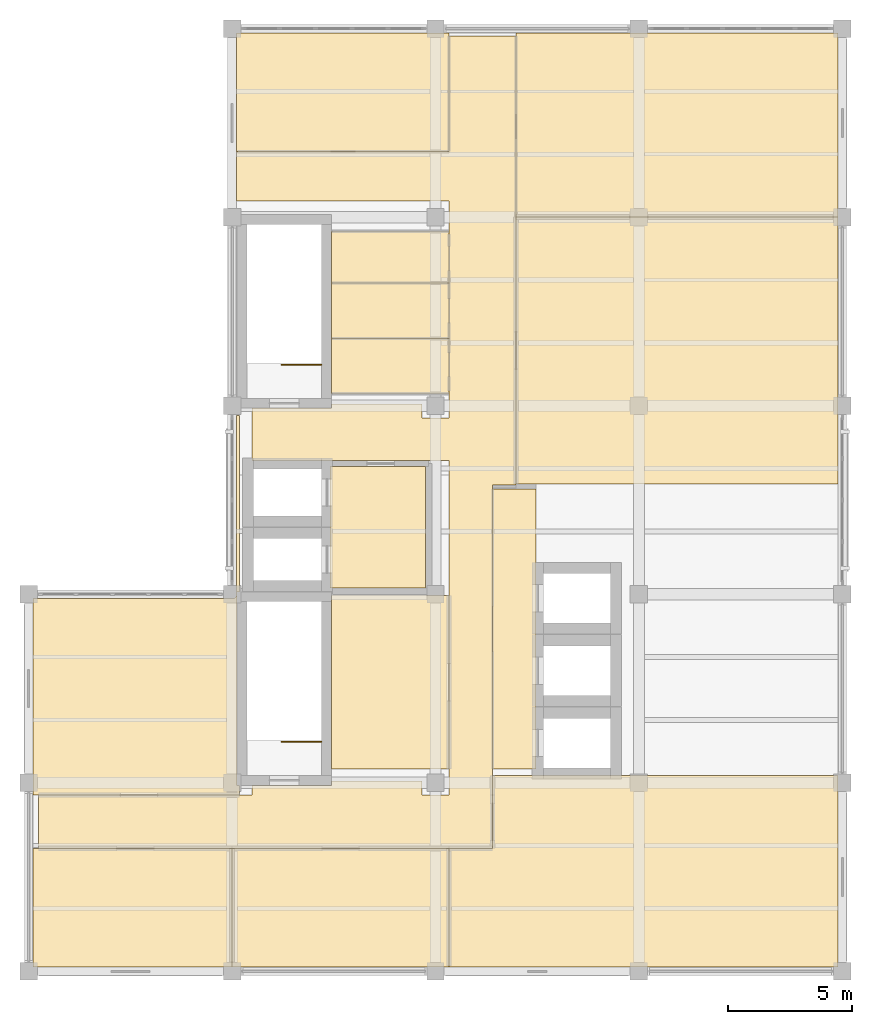
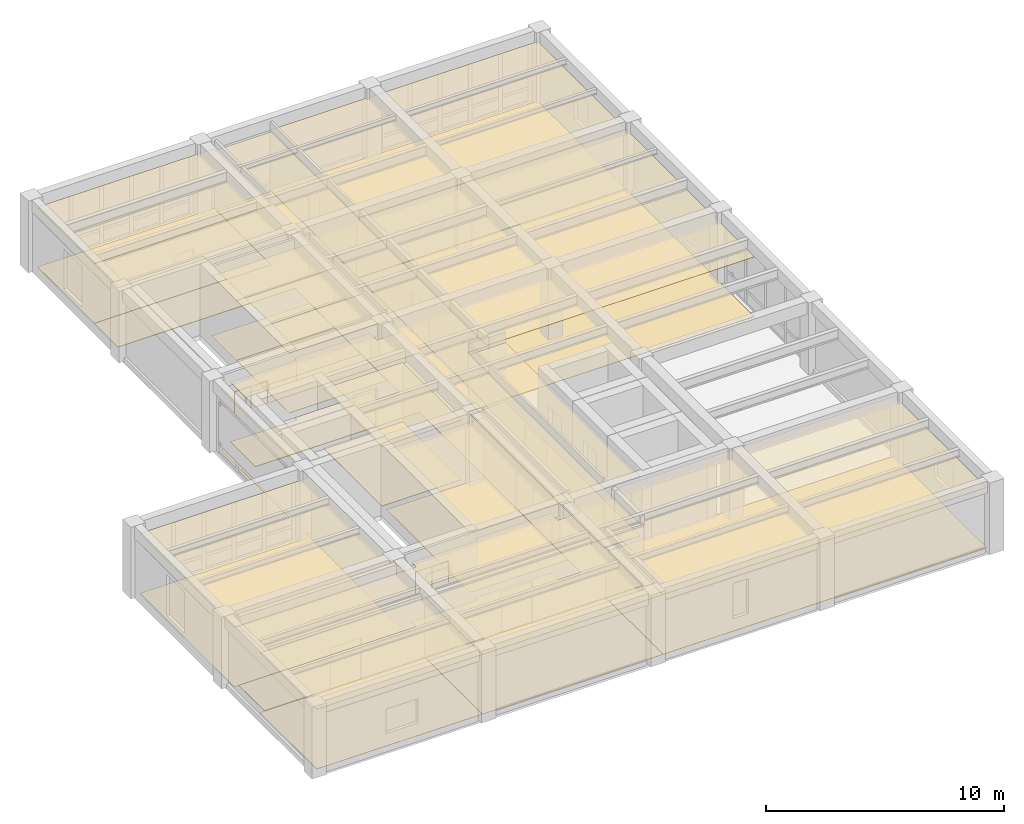
# One storey, part 8 of 8: 28 coverings, 2 railings.
"""IFC4 building model written with IfcOpenShell, lengths in metres."""

from ifc_helpers import new_model, si_unit, direction, frame, origin, origin_2d, place, context, subcontext, project, spatial, polyline, circle, outline, extrude, material, layer, layer_set, type_object, element, save


model = new_model("IFC4")

# Units and contexts
model_context = context("Model", 3, precision=1e-05, world=origin(), true_north=direction((0.0, 1.0)))
body_context = subcontext(model_context, "Body", "Model", "MODEL_VIEW")
ifc_project = project(units=[si_unit("LENGTHUNIT", "METRE"), si_unit("AREAUNIT", "SQUARE_METRE"), si_unit("VOLUMEUNIT", "CUBIC_METRE"), si_unit("PLANEANGLEUNIT", "RADIAN"), si_unit("MASSUNIT", "GRAM", prefix="KILO")], contexts=[model_context])

# Site, building, storey
site_placement = place(None, origin())
site = spatial("IfcSite", under=ifc_project, at=site_placement, CompositionType="ELEMENT")
building_placement = place(site_placement, origin())
building = spatial("IfcBuilding", under=site, at=building_placement, Name="Qandaris Square Conservatory and Botanical Centre", CompositionType="ELEMENT")
storey_placement = place(building_placement, frame((0.0, 0.0, 70.199951171875)))
storey = spatial("IfcBuildingStorey", under=building, at=storey_placement, Name="L16", CompositionType="ELEMENT", Elevation=70.199951171875)

# Coverings
ifc_material_1 = material(Name="Honed Qatari Limestone", Category="masonry")
ifc_layer_1 = layer(ifc_material_1, 0.030029296875)
ifc_layer_set_1 = layer_set([ifc_layer_1], Name="Honed Qatari Limestone")
covering_type_1 = type_object("IfcCoveringType", Name="Honed Qatari Limestone Concourse Paving", PredefinedType="FLOORING", material=ifc_layer_set_1)
covering_1_placement = place(storey_placement, origin())
element("IfcCovering", 1, at=covering_1_placement, inside=storey, type_object=covering_type_1, Name="Firefighting Lift Lobby L16 Flooring", PredefinedType="FLOORING", context=body_context, shape_type="SweptSolid", body=[
    extrude(outline(polyline([(143.14990234375, 36.949951171875), (147.0, 36.949951171875), (147.0, 32.050048828125), (143.14990234375, 32.050048828125), (143.14990234375, 36.949951171875)])), origin(), (0.0, 0.0, 1.0), 0.030029296875),
])
covering_2_placement = place(storey_placement, origin())
element("IfcCovering", 2, at=covering_2_placement, inside=storey, type_object=covering_type_1, Name="Passenger Lift Lobby L16 Flooring", PredefinedType="FLOORING", context=body_context, shape_type="SweptSolid", body=[
    extrude(outline(polyline([(149.699951171875, 36.050048828125), (151.449951171875, 36.050048828125), (151.449951171875, 24.75), (149.699951171875, 24.75), (149.699951171875, 36.050048828125)])), origin(), (0.0, 0.0, 1.0), 0.030029296875),
])
covering_3_placement = place(storey_placement, origin())
element("IfcCovering", 3, at=covering_3_placement, inside=storey, type_object=covering_type_1, Name="Main Circulation Corridor L16 Flooring", PredefinedType="FLOORING", context=body_context, shape_type="SweptSolid", body=[
    extrude(outline(polyline([(140.0, 24.10009765625), (143.199951171875, 24.10009765625), (143.199951171875, 24.280029296875), (146.85009765625, 24.280029296875), (146.85009765625, 23.699951171875), (147.949951171875, 23.699951171875), (147.949951171875, 24.75), (147.949951171875, 31.75), (147.949951171875, 36.199951171875), (147.949951171875, 37.199951171875), (140.0, 37.199951171875), (140.0, 38.89990234375), (140.0, 39.300048828125), (143.199951171875, 39.300048828125), (143.199951171875, 39.47998046875), (146.85009765625, 39.47998046875), (146.85009765625, 38.89990234375), (147.949951171875, 38.89990234375), (147.949951171875, 39.89990234375), (147.949951171875, 42.1201171875), (147.949951171875, 44.340087890625), (147.949951171875, 46.419921875), (147.949951171875, 47.64990234375), (139.3798828125, 47.64990234375), (139.3798828125, 49.64990234375), (147.949951171875, 49.64990234375), (147.949951171875, 54.300048828125), (150.64990234375, 54.300048828125), (150.64990234375, 36.199951171875), (149.699951171875, 36.199951171875), (149.699951171875, 36.050048828125), (149.699951171875, 24.75), (149.699951171875, 23.699951171875), (149.699951171875, 21.550048828125), (147.949951171875, 21.550048828125), (131.39990234375, 21.550048828125), (131.39990234375, 23.699951171875), (140.0, 23.699951171875), (140.0, 24.10009765625)])), origin(), (0.0, 0.0, 1.0), 0.030029296875),
])
covering_4_placement = place(storey_placement, origin())
element("IfcCovering", 4, at=covering_4_placement, inside=storey, type_object=covering_type_1, Name="Building Management Collaborative Seminar Room Flooring", PredefinedType="FLOORING", context=body_context, shape_type="SweptSolid", body=[
    extrude(outline(polyline([(139.3798828125, 54.419921875), (147.949951171875, 54.419921875), (147.949951171875, 54.300048828125), (147.949951171875, 49.64990234375), (139.3798828125, 49.64990234375), (139.3798828125, 54.419921875)])), origin(), (0.0, 0.0, 1.0), 0.030029296875),
])
covering_5_placement = place(storey_placement, origin())
element("IfcCovering", 5, at=covering_5_placement, inside=storey, type_object=covering_type_1, Name="Floor L16 Staff Write-Up Lounge Flooring", PredefinedType="FLOORING", context=body_context, shape_type="SweptSolid", body=[
    extrude(outline(polyline([(163.6201171875, 54.419921875), (163.6201171875, 47.0), (150.64990234375, 47.0), (150.64990234375, 54.300048828125), (150.64990234375, 54.419921875), (163.6201171875, 54.419921875)])), origin(), (0.0, 0.0, 1.0), 0.030029296875),
])
ifc_material_2 = material(Name="Gypsum Plasterboard", Category="gypsum")
ifc_layer_2 = layer(ifc_material_2, 0.02490234375)
ifc_layer_set_2 = layer_set([ifc_layer_2], Name="Gypsum Plasterboard")
covering_type_2 = type_object("IfcCoveringType", Name="Perforated Acoustic Lab Ceiling Tile", PredefinedType="CEILING", material=ifc_layer_set_2)
covering_6_placement = place(storey_placement, frame((0.0, 0.0, 3.050048828125)))
element("IfcCovering", 6, at=covering_6_placement, inside=storey, type_object=covering_type_2, Name="Firefighting Lift Lobby L16 Ceiling", PredefinedType="CEILING", context=body_context, shape_type="SweptSolid", body=[
    extrude(outline(polyline([(143.14990234375, 36.949951171875), (147.0, 36.949951171875), (147.0, 32.050048828125), (143.14990234375, 32.050048828125), (143.14990234375, 36.949951171875)])), origin(), (0.0, 0.0, 1.0), 0.02490234375),
])
covering_7_placement = place(storey_placement, frame((0.0, 0.0, 3.050048828125)))
element("IfcCovering", 7, at=covering_7_placement, inside=storey, type_object=covering_type_2, Name="Electrical and Telecom Riser Room L16 Ceiling", PredefinedType="CEILING", context=body_context, shape_type="SweptSolid", body=[
    extrude(outline(polyline([(147.949951171875, 31.75), (147.949951171875, 24.75), (143.199951171875, 24.75), (143.199951171875, 31.75), (147.949951171875, 31.75)])), origin(), (0.0, 0.0, 1.0), 0.02490234375),
])
covering_8_placement = place(storey_placement, frame((0.0, 0.0, 3.050048828125)))
element("IfcCovering", 8, at=covering_8_placement, inside=storey, type_object=covering_type_2, Name="Passenger Lift Lobby L16 Ceiling", PredefinedType="CEILING", context=body_context, shape_type="SweptSolid", body=[
    extrude(outline(polyline([(149.699951171875, 36.050048828125), (151.449951171875, 36.050048828125), (151.449951171875, 24.75), (149.699951171875, 24.75), (149.699951171875, 36.050048828125)])), origin(), (0.0, 0.0, 1.0), 0.02490234375),
])
covering_9_placement = place(storey_placement, frame((0.0, 0.0, 3.050048828125)))
element("IfcCovering", 9, at=covering_9_placement, inside=storey, type_object=covering_type_2, Name="Accessible Toilet L16 Ceiling", PredefinedType="CEILING", context=body_context, shape_type="SweptSolid", body=[
    extrude(outline(polyline([(147.949951171875, 42.1201171875), (147.949951171875, 39.89990234375), (143.199951171875, 39.89990234375), (143.199951171875, 42.1201171875), (147.949951171875, 42.1201171875)])), origin(), (0.0, 0.0, 1.0), 0.02490234375),
])
covering_10_placement = place(storey_placement, frame((0.0, 0.0, 3.050048828125)))
element("IfcCovering", 10, at=covering_10_placement, inside=storey, type_object=covering_type_2, Name="Staff Male Toilet L16 Ceiling", PredefinedType="CEILING", context=body_context, shape_type="SweptSolid", body=[
    extrude(outline(polyline([(147.949951171875, 44.340087890625), (147.949951171875, 42.1201171875), (143.199951171875, 42.1201171875), (143.199951171875, 44.340087890625), (147.949951171875, 44.340087890625)])), origin(), (0.0, 0.0, 1.0), 0.02490234375),
])
covering_11_placement = place(storey_placement, frame((0.0, 0.0, 3.050048828125)))
element("IfcCovering", 11, at=covering_11_placement, inside=storey, type_object=covering_type_2, Name="Staff Female Toilet L16 Ceiling", PredefinedType="CEILING", context=body_context, shape_type="SweptSolid", body=[
    extrude(outline(polyline([(147.949951171875, 46.419921875), (147.949951171875, 44.340087890625), (143.199951171875, 44.340087890625), (143.199951171875, 46.419921875), (147.949951171875, 46.419921875)])), origin(), (0.0, 0.0, 1.0), 0.02490234375),
])
covering_12_placement = place(storey_placement, frame((0.0, 0.0, 3.050048828125)))
element("IfcCovering", 12, at=covering_12_placement, inside=storey, type_object=covering_type_2, Name="Main Circulation Corridor L16 Ceiling", PredefinedType="CEILING", context=body_context, shape_type="SweptSolid", body=[
    extrude(outline(polyline([(140.0, 24.10009765625), (143.199951171875, 24.10009765625), (143.199951171875, 24.280029296875), (146.85009765625, 24.280029296875), (146.85009765625, 23.699951171875), (147.949951171875, 23.699951171875), (147.949951171875, 24.75), (147.949951171875, 31.75), (147.949951171875, 36.199951171875), (147.949951171875, 37.199951171875), (140.0, 37.199951171875), (140.0, 38.89990234375), (140.0, 39.300048828125), (143.199951171875, 39.300048828125), (143.199951171875, 39.47998046875), (146.85009765625, 39.47998046875), (146.85009765625, 38.89990234375), (147.949951171875, 38.89990234375), (147.949951171875, 39.89990234375), (147.949951171875, 42.1201171875), (147.949951171875, 44.340087890625), (147.949951171875, 46.419921875), (147.949951171875, 47.64990234375), (139.3798828125, 47.64990234375), (139.3798828125, 49.64990234375), (147.949951171875, 49.64990234375), (147.949951171875, 54.300048828125), (150.64990234375, 54.300048828125), (150.64990234375, 36.199951171875), (149.699951171875, 36.199951171875), (149.699951171875, 36.050048828125), (149.699951171875, 24.75), (149.699951171875, 23.699951171875), (149.699951171875, 21.550048828125), (147.949951171875, 21.550048828125), (131.39990234375, 21.550048828125), (131.39990234375, 23.699951171875), (140.0, 23.699951171875), (140.0, 24.10009765625)])), origin(), (0.0, 0.0, 1.0), 0.02490234375),
])
covering_13_placement = place(storey_placement, frame((0.0, 0.0, 3.050048828125)))
element("IfcCovering", 13, at=covering_13_placement, inside=storey, type_object=covering_type_2, Name="Mechanical AHU Plant Research Laboratory Ceiling", PredefinedType="CEILING", context=body_context, shape_type="SweptSolid", body=[
    extrude(outline(polyline([(131.179931640625, 16.780029296875), (131.179931640625, 21.550048828125), (131.39990234375, 21.550048828125), (139.199951171875, 21.550048828125), (139.199951171875, 16.780029296875), (131.179931640625, 16.780029296875)])), origin(), (0.0, 0.0, 1.0), 0.02490234375),
])
covering_14_placement = place(storey_placement, frame((0.0, 0.0, 3.050048828125)))
element("IfcCovering", 14, at=covering_14_placement, inside=storey, type_object=covering_type_2, Name="Heat Recovery Plant Suite Ceiling", PredefinedType="CEILING", context=body_context, shape_type="SweptSolid", body=[
    extrude(outline(polyline([(139.199951171875, 16.780029296875), (139.199951171875, 21.550048828125), (147.949951171875, 21.550048828125), (147.949951171875, 16.780029296875), (139.199951171875, 16.780029296875)])), origin(), (0.0, 0.0, 1.0), 0.02490234375),
])
covering_15_placement = place(storey_placement, frame((0.0, 0.0, 3.050048828125)))
element("IfcCovering", 15, at=covering_15_placement, inside=storey, type_object=covering_type_2, Name="Building Management Research Laboratory Ceiling", PredefinedType="CEILING", context=body_context, shape_type="SweptSolid", body=[
    extrude(outline(polyline([(139.235107421875, 31.62353515625), (139.252197265625, 31.627685546875), (139.268798828125, 31.6337890625), (139.284912109375, 31.641357421875), (139.300048828125, 31.650390625), (139.314208984375, 31.660888671875), (139.327392578125, 31.672607421875), (139.339111328125, 31.685791015625), (139.349609375, 31.699951171875), (139.358642578125, 31.715087890625), (139.3662109375, 31.731201171875), (139.372314453125, 31.747802734375), (139.37646484375, 31.764892578125), (139.379150390625, 31.782470703125), (139.3798828125, 31.800048828125), (139.3798828125, 39.0), (139.5, 39.0), (139.5, 31.89990234375), (139.39990234375, 31.89990234375), (139.39990234375, 24.10009765625), (139.5, 24.10009765625), (139.5, 23.699951171875), (131.39990234375, 23.699951171875), (131.179931640625, 23.699951171875), (131.179931640625, 31.6201171875), (139.199951171875, 31.6201171875), (139.217529296875, 31.620849609375), (139.235107421875, 31.62353515625)])), origin(), (0.0, 0.0, 1.0), 0.02490234375),
])
covering_16_placement = place(storey_placement, frame((0.0, 0.0, 3.050048828125)))
element("IfcCovering", 16, at=covering_16_placement, inside=storey, type_object=covering_type_2, Name="Floor L16 Instrument and Balance Room Ceiling", PredefinedType="CEILING", context=body_context, shape_type="SweptSolid", body=[
    extrude(outline(polyline([(149.699951171875, 24.5), (163.6201171875, 24.5), (163.6201171875, 16.780029296875), (147.949951171875, 16.780029296875), (147.949951171875, 21.550048828125), (149.699951171875, 21.550048828125), (149.699951171875, 23.699951171875), (149.699951171875, 24.5)])), origin(), (0.0, 0.0, 1.0), 0.02490234375),
])
covering_17_placement = place(storey_placement, frame((0.0, 0.0, 3.050048828125)))
element("IfcCovering", 17, at=covering_17_placement, inside=storey, type_object=covering_type_2, Name="Mechanical AHU Plant Analytical Laboratory Ceiling", PredefinedType="CEILING", context=body_context, shape_type="SweptSolid", body=[
    extrude(outline(polyline([(163.6201171875, 36.25), (150.64990234375, 36.25), (150.64990234375, 47.0), (163.6201171875, 47.0), (163.6201171875, 36.25)])), origin(), (0.0, 0.0, 1.0), 0.02490234375),
])
ifc_material_3 = material(Name="Epoxy Resin Screed", Category="finish")
ifc_layer_3 = layer(ifc_material_3, 0.014892578125)
ifc_layer_set_3 = layer_set([ifc_layer_3], Name="Epoxy Resin Screed")
covering_type_3 = type_object("IfcCoveringType", Name="Seamless Epoxy Laboratory Flooring", PredefinedType="FLOORING", material=ifc_layer_set_3)
covering_18_placement = place(storey_placement, origin())
element("IfcCovering", 18, at=covering_18_placement, inside=storey, type_object=covering_type_3, Name="Electrical and Telecom Riser Room L16 Flooring", PredefinedType="FLOORING", context=body_context, shape_type="SweptSolid", body=[
    extrude(outline(polyline([(147.949951171875, 31.75), (147.949951171875, 24.75), (143.199951171875, 24.75), (143.199951171875, 31.75), (147.949951171875, 31.75)])), origin(), (0.0, 0.0, 1.0), 0.01513671875),
])
covering_19_placement = place(storey_placement, origin())
element("IfcCovering", 19, at=covering_19_placement, inside=storey, type_object=covering_type_3, Name="Accessible Toilet L16 Flooring", PredefinedType="FLOORING", context=body_context, shape_type="SweptSolid", body=[
    extrude(outline(polyline([(147.949951171875, 42.1201171875), (147.949951171875, 39.89990234375), (143.199951171875, 39.89990234375), (143.199951171875, 42.1201171875), (147.949951171875, 42.1201171875)])), origin(), (0.0, 0.0, 1.0), 0.01513671875),
])
covering_20_placement = place(storey_placement, origin())
element("IfcCovering", 20, at=covering_20_placement, inside=storey, type_object=covering_type_3, Name="Staff Male Toilet L16 Flooring", PredefinedType="FLOORING", context=body_context, shape_type="SweptSolid", body=[
    extrude(outline(polyline([(147.949951171875, 44.340087890625), (147.949951171875, 42.1201171875), (143.199951171875, 42.1201171875), (143.199951171875, 44.340087890625), (147.949951171875, 44.340087890625)])), origin(), (0.0, 0.0, 1.0), 0.01513671875),
])
covering_21_placement = place(storey_placement, origin())
element("IfcCovering", 21, at=covering_21_placement, inside=storey, type_object=covering_type_3, Name="Staff Female Toilet L16 Flooring", PredefinedType="FLOORING", context=body_context, shape_type="SweptSolid", body=[
    extrude(outline(polyline([(147.949951171875, 46.419921875), (147.949951171875, 44.340087890625), (143.199951171875, 44.340087890625), (143.199951171875, 46.419921875), (147.949951171875, 46.419921875)])), origin(), (0.0, 0.0, 1.0), 0.01513671875),
])
covering_22_placement = place(storey_placement, origin())
element("IfcCovering", 22, at=covering_22_placement, inside=storey, type_object=covering_type_3, Name="Mechanical AHU Plant Research Laboratory Flooring", PredefinedType="FLOORING", context=body_context, shape_type="SweptSolid", body=[
    extrude(outline(polyline([(131.179931640625, 16.780029296875), (131.179931640625, 21.550048828125), (131.39990234375, 21.550048828125), (139.199951171875, 21.550048828125), (139.199951171875, 16.780029296875), (131.179931640625, 16.780029296875)])), origin(), (0.0, 0.0, 1.0), 0.01513671875),
])
covering_23_placement = place(storey_placement, origin())
element("IfcCovering", 23, at=covering_23_placement, inside=storey, type_object=covering_type_3, Name="Heat Recovery Plant Suite Flooring", PredefinedType="FLOORING", context=body_context, shape_type="SweptSolid", body=[
    extrude(outline(polyline([(139.199951171875, 16.780029296875), (139.199951171875, 21.550048828125), (147.949951171875, 21.550048828125), (147.949951171875, 16.780029296875), (139.199951171875, 16.780029296875)])), origin(), (0.0, 0.0, 1.0), 0.01513671875),
])
covering_24_placement = place(storey_placement, origin())
element("IfcCovering", 24, at=covering_24_placement, inside=storey, type_object=covering_type_3, Name="Building Management Research Laboratory Flooring", PredefinedType="FLOORING", context=body_context, shape_type="SweptSolid", body=[
    extrude(outline(polyline([(139.235107421875, 31.62353515625), (139.252197265625, 31.627685546875), (139.268798828125, 31.6337890625), (139.284912109375, 31.641357421875), (139.300048828125, 31.650390625), (139.314208984375, 31.660888671875), (139.327392578125, 31.672607421875), (139.339111328125, 31.685791015625), (139.349609375, 31.699951171875), (139.358642578125, 31.715087890625), (139.3662109375, 31.731201171875), (139.372314453125, 31.747802734375), (139.37646484375, 31.764892578125), (139.379150390625, 31.782470703125), (139.3798828125, 31.800048828125), (139.3798828125, 39.0), (139.5, 39.0), (139.5, 31.89990234375), (139.39990234375, 31.89990234375), (139.39990234375, 24.10009765625), (139.5, 24.10009765625), (139.5, 23.699951171875), (131.39990234375, 23.699951171875), (131.179931640625, 23.699951171875), (131.179931640625, 31.6201171875), (139.199951171875, 31.6201171875), (139.217529296875, 31.620849609375), (139.235107421875, 31.62353515625)])), origin(), (0.0, 0.0, 1.0), 0.01513671875),
])
covering_25_placement = place(storey_placement, origin())
element("IfcCovering", 25, at=covering_25_placement, inside=storey, type_object=covering_type_3, Name="Floor L16 Instrument and Balance Room Flooring", PredefinedType="FLOORING", context=body_context, shape_type="SweptSolid", body=[
    extrude(outline(polyline([(149.699951171875, 24.5), (163.6201171875, 24.5), (163.6201171875, 16.780029296875), (147.949951171875, 16.780029296875), (147.949951171875, 21.550048828125), (149.699951171875, 21.550048828125), (149.699951171875, 23.699951171875), (149.699951171875, 24.5)])), origin(), (0.0, 0.0, 1.0), 0.01513671875),
])
covering_26_placement = place(storey_placement, origin())
element("IfcCovering", 26, at=covering_26_placement, inside=storey, type_object=covering_type_3, Name="Mechanical AHU Plant Analytical Laboratory Flooring", PredefinedType="FLOORING", context=body_context, shape_type="SweptSolid", body=[
    extrude(outline(polyline([(163.6201171875, 36.25), (150.64990234375, 36.25), (150.64990234375, 47.0), (163.6201171875, 47.0), (163.6201171875, 36.25)])), origin(), (0.0, 0.0, 1.0), 0.01513671875),
])
ifc_material_4 = material(Name="Engineered Oak Timber", Category="wood")
ifc_layer_4 = layer(ifc_material_4, 0.0400390625)
ifc_layer_set_4 = layer_set([ifc_layer_4], Name="Engineered Oak Timber")
covering_type_4 = type_object("IfcCoveringType", Name="Slatted Oak Acoustic Gallery Ceiling", PredefinedType="CEILING", material=ifc_layer_set_4)
covering_27_placement = place(storey_placement, frame((0.0, 0.0, 3.050048828125)))
element("IfcCovering", 27, at=covering_27_placement, inside=storey, type_object=covering_type_4, Name="Building Management Collaborative Seminar Room Ceiling", PredefinedType="CEILING", context=body_context, shape_type="SweptSolid", body=[
    extrude(outline(polyline([(139.3798828125, 54.419921875), (147.949951171875, 54.419921875), (147.949951171875, 54.300048828125), (147.949951171875, 49.64990234375), (139.3798828125, 49.64990234375), (139.3798828125, 54.419921875)])), origin(), (0.0, 0.0, 1.0), 0.0400390625),
])
covering_28_placement = place(storey_placement, frame((0.0, 0.0, 3.050048828125)))
element("IfcCovering", 28, at=covering_28_placement, inside=storey, type_object=covering_type_4, Name="Floor L16 Staff Write-Up Lounge Ceiling", PredefinedType="CEILING", context=body_context, shape_type="SweptSolid", body=[
    extrude(outline(polyline([(163.6201171875, 54.419921875), (163.6201171875, 47.0), (150.64990234375, 47.0), (150.64990234375, 54.300048828125), (150.64990234375, 54.419921875), (163.6201171875, 54.419921875)])), origin(), (0.0, 0.0, 1.0), 0.0400390625),
])

# Railings
ifc_material_5 = material(Name="Stainless Steel", Category="steel")
railing_type = type_object("IfcRailingType", Name="Stairwell & Atrium Guardrail 1120mm", PredefinedType="GUARDRAIL", material=ifc_material_5)
for number, where, name in (
    (29, (142.800048828125, 25.85009765625, 0.0), "L16 ST-1 top well guard 1"),
    (30, (142.800048828125, 41.050048828125, 0.0), "L16 ST-2 top well guard 1"),
):
    element("IfcRailing", number, at=place(storey_placement, frame(where)), inside=storey, type_object=railing_type, Name=name, PredefinedType="GUARDRAIL", context=body_context, shape_type="SweptSolid", body=[
        extrude(circle(Radius=0.02392578125, at=origin_2d()), frame((0.0, 0.0, 1.09619140625), z_axis=(-1.0, 0.0, 0.0), x_axis=(0.0, -1.0, 0.0)), (0.0, 0.0, 1.0), 1.60009765625),
        extrude(circle(Radius=0.02099609375, at=origin_2d()), origin(), (0.0, 0.0, 1.0), 1.072021484375),
        extrude(circle(Radius=0.02099609375, at=origin_2d()), frame((-0.800048828125, 0.0, 0.0)), (0.0, 0.0, 1.0), 1.072021484375),
        extrude(circle(Radius=0.02099609375, at=origin_2d()), frame((-1.60009765625, 0.0, 0.0)), (0.0, 0.0, 1.0), 1.072021484375),
    ])

save(model, "model.ifc")
